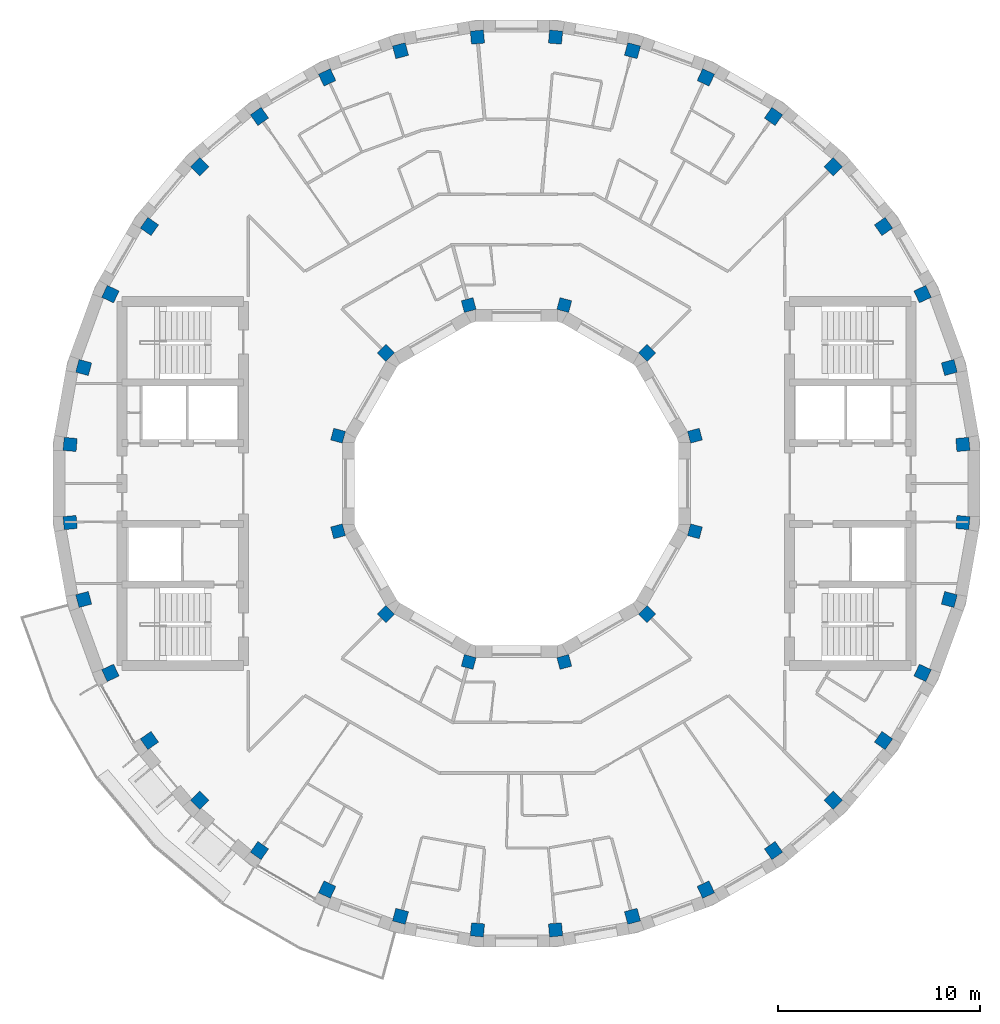
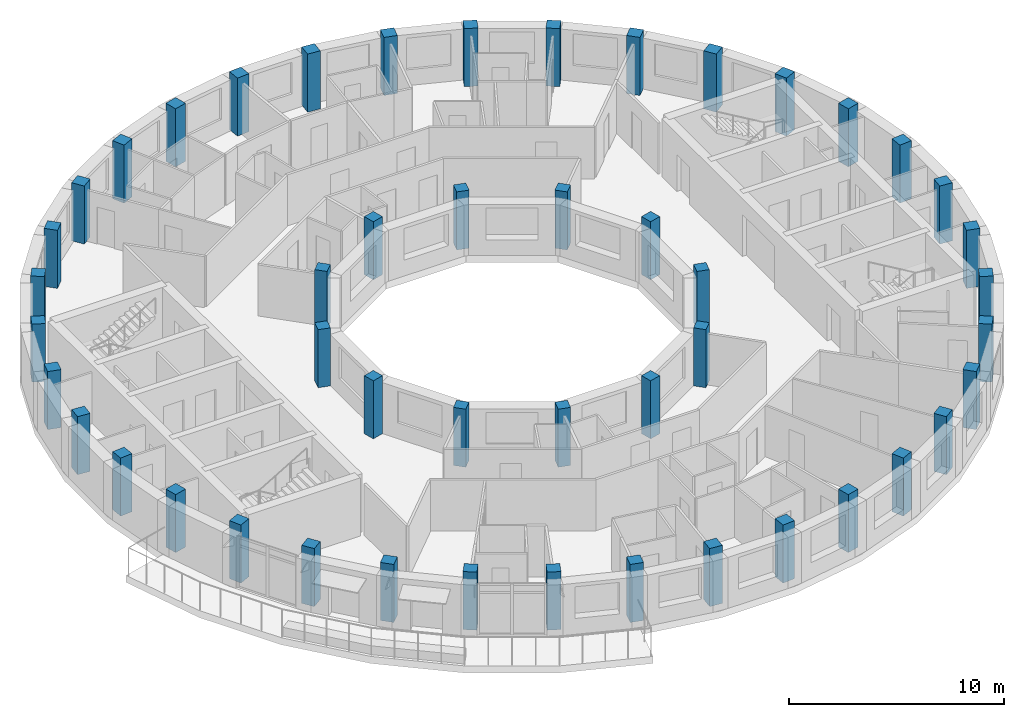
# One storey, part 1 of 12: 48 columns.
"""IFC4 building model written with IfcOpenShell, lengths in metres."""

import ifcopenshell
import ifcopenshell.guid

model = None  # the IFC model being written
_history = None  # IfcOwnerHistory: only IFC2X3 demands one
_inside = {}  # id of a spatial element -> (the spatial element, [elements in it])
_under = {}  # id of a project, library or spatial element -> (it, [spatial elements below it])
_declared = {}  # id of a project -> (the project, [libraries it declares])
_typed = {}  # id of a type object -> (the type object, [elements of that type])
_made_of = {}  # id of a material, layer set ... -> (it, [elements and type objects made of it])


def new_model(schema):
    """Start an empty IFC model of exactly this schema.

    Asked for "IFC4X3", IfcOpenShell would pick the latest addendum, in which some entities
    have other attributes; the version numbers below select the first issue.
    IFC2X3 requires an IfcOwnerHistory on every rooted entity: one is made here for all.
    """
    global model, _history
    if schema == "IFC4X3":
        model = ifcopenshell.file(schema_version=(4, 3, 0, 0))
    else:
        model = ifcopenshell.file(schema=schema)
    _inside.clear()
    _under.clear()
    _declared.clear()
    _typed.clear()
    _made_of.clear()
    _history = None
    if model.schema == "IFC2X3":
        org = make("IfcOrganization", Name="unknown")
        user = make(
            "IfcPersonAndOrganization",
            ThePerson=make("IfcPerson", FamilyName="unknown"),
            TheOrganization=org,
        )
        app = make(
            "IfcApplication",
            ApplicationDeveloper=org,
            Version="unknown",
            ApplicationFullName="unknown",
            ApplicationIdentifier="unknown",
        )
        _history = make(
            "IfcOwnerHistory",
            OwningUser=user,
            OwningApplication=app,
            ChangeAction="ADDED",
            CreationDate=0,
        )
    return model


def make(cls, **values):
    """One entity of the class cls with the attributes given. An attribute that is None is left unset."""
    return model.create_entity(
        cls, **{name: value for name, value in values.items() if value is not None}
    )


def rooted(cls, **values):
    """An entity with a GlobalId (a new one), such as an element, a storey or a relation."""
    return make(cls, GlobalId=ifcopenshell.guid.new(), OwnerHistory=_history, **values)


def si_unit(unit_type, name, prefix=None):
    """IfcSIUnit, for example si_unit("LENGTHUNIT", "METRE", prefix="MILLI")."""
    return make("IfcSIUnit", UnitType=unit_type, Prefix=prefix, Name=name)


def assignment(units):
    """IfcUnitAssignment: the units of a project."""
    return None if units is None else make("IfcUnitAssignment", Units=units)


def point(xyz):
    """IfcCartesianPoint."""
    return None if xyz is None else make("IfcCartesianPoint", Coordinates=xyz)


def direction(xyz):
    """IfcDirection."""
    return None if xyz is None else make("IfcDirection", DirectionRatios=xyz)


def frame(location, z_axis=None, x_axis=None):
    """IfcAxis2Placement3D, a coordinate frame: its origin and axes. An axis left out is left unset."""
    return make(
        "IfcAxis2Placement3D",
        Location=point(location),
        Axis=direction(z_axis),
        RefDirection=direction(x_axis),
    )


def frame_2d(location, x_axis=None):
    """IfcAxis2Placement2D, a coordinate frame in the plane: its origin and x axis."""
    return make(
        "IfcAxis2Placement2D", Location=point(location), RefDirection=direction(x_axis)
    )


def origin():
    """The frame at (0, 0, 0) with its axes left unset."""
    return frame((0.0, 0.0, 0.0))


def origin_2d():
    """The frame at (0, 0) in the plane with its x axis left unset."""
    return frame_2d((0.0, 0.0))


def place(relative_to, where):
    """IfcLocalPlacement: puts the frame where relative to a parent placement (None: the world)."""
    return make(
        "IfcLocalPlacement", PlacementRelTo=relative_to, RelativePlacement=where
    )


def context(
    kind, dimensions, precision=None, world=None, true_north=None, identifier=None
):
    """IfcGeometricRepresentationContext, for example the 3D "Model" context."""
    return make(
        "IfcGeometricRepresentationContext",
        ContextIdentifier=identifier,
        ContextType=kind,
        CoordinateSpaceDimension=dimensions,
        Precision=precision,
        WorldCoordinateSystem=world,
        TrueNorth=true_north,
    )


def subcontext(parent, identifier, kind, view, scale=None):
    """IfcGeometricRepresentationSubContext, for example "Body" below "Model"."""
    return make(
        "IfcGeometricRepresentationSubContext",
        ContextIdentifier=identifier,
        ContextType=kind,
        ParentContext=parent,
        TargetScale=scale,
        TargetView=view,
    )


def project(units=None, contexts=None):
    """IfcProject with its units and contexts."""
    return rooted(
        "IfcProject",
        Name="project",
        RepresentationContexts=contexts,
        UnitsInContext=assignment(units),
    )


def spatial(cls, under=None, at=None, **own):
    """A site, building, storey or space (cls), placed at a placement, below another one or the project."""
    s = rooted(cls, ObjectPlacement=at, **own)
    if under is not None:
        _under.setdefault(under.id(), (under, []))[1].append(s)
    return s


def profile(cls, at=None, kind="AREA", **sizes):
    """A parametric profile (cls). Its sizes go by their IFC names, for example OverallWidth=200.0."""
    return make(cls, ProfileType=kind, Position=at, **sizes)


def rectangle(**sizes):
    """IfcRectangleProfileDef."""
    return profile("IfcRectangleProfileDef", **sizes)


def extrude(swept, where, along, depth):
    """IfcExtrudedAreaSolid: the profile swept, set in the frame where, extruded along a direction by depth."""
    return make(
        "IfcExtrudedAreaSolid",
        SweptArea=swept,
        Position=where,
        ExtrudedDirection=direction(along),
        Depth=depth,
    )


def shape(context_of_items, identifier, shape_type, items):
    """IfcShapeRepresentation: the items that make up one representation, for example the "Body"."""
    return make(
        "IfcShapeRepresentation",
        ContextOfItems=context_of_items,
        RepresentationIdentifier=identifier,
        RepresentationType=shape_type,
        Items=items,
    )


def material(Name=None, Category=None):
    """IfcMaterial."""
    return make("IfcMaterial", Name=Name, Category=Category)


def material_profile(
    of_material, cross_section, Name=None, Category=None, Priority=None
):
    """IfcMaterialProfile: a cross section and its material."""
    return make(
        "IfcMaterialProfile",
        Name=Name,
        Material=of_material,
        Profile=cross_section,
        Priority=Priority,
        Category=Category,
    )


def profile_set(profiles, Name=None, composite=None):
    """IfcMaterialProfileSet."""
    return make(
        "IfcMaterialProfileSet",
        Name=Name,
        MaterialProfiles=profiles,
        CompositeProfile=composite,
    )


def made_of(thing, what):
    """Note that an element or type object is made of a material, layer set ...; save() writes the relation."""
    if what is not None:
        _made_of.setdefault(what.id(), (what, []))[1].append(thing)
    return thing


def type_object(cls, material=None, **own):
    """A type object (cls), such as IfcWallType, which elements share."""
    return made_of(rooted(cls, **own), material)


def element(
    cls,
    number,
    at=None,
    inside=None,
    cuts=None,
    type_object=None,
    material=None,
    context=None,
    identifier="Body",
    shape_type=None,
    held_by="IfcProductDefinitionShape",
    body=None,
    shapes=None,
    **own,
):
    """One element of the class cls, such as IfcWall. Its Tag is "e" and its number.

    at: its placement. inside: the storey or other place that contains it. cuts: it is an
    opening in that element (IfcRelVoidsElement). A single representation is given by context,
    identifier, shape_type and body (its items); several are given by shapes. held_by: the class
    of the entity that holds the representations. save() writes the other relations.
    """
    e = rooted(cls, Tag="e%d" % number, ObjectPlacement=at, **own)
    if body is not None:
        shapes = [shape(context, identifier, shape_type, body)]
    if shapes is not None:
        e.Representation = make(held_by, Representations=shapes)
    if inside is not None:
        _inside.setdefault(inside.id(), (inside, []))[1].append(e)
    if cuts is not None:
        rooted(
            "IfcRelVoidsElement", RelatingBuildingElement=cuts, RelatedOpeningElement=e
        )
    if type_object is not None:
        _typed.setdefault(type_object.id(), (type_object, []))[1].append(e)
    return made_of(e, material)


def aggregate(whole, parts):
    """IfcRelAggregates: a whole, such as a stair, and the parts it consists of."""
    return rooted("IfcRelAggregates", RelatingObject=whole, RelatedObjects=parts)


def save(model, path):
    """Write the relations noted so far, then the file.

    IfcRelAggregates (storeys below a building ...), IfcRelContainedInSpatialStructure (elements
    in a storey), IfcRelDefinesByType, IfcRelAssociatesMaterial and IfcRelDeclares: one each for
    every whole, place, type object, material and project.
    """
    for whole, parts in _under.values():
        aggregate(whole, parts)
    for where, things in _inside.values():
        rooted(
            "IfcRelContainedInSpatialStructure",
            RelatedElements=things,
            RelatingStructure=where,
        )
    for kind, things in _typed.values():
        rooted("IfcRelDefinesByType", RelatedObjects=things, RelatingType=kind)
    for what, things in _made_of.values():
        rooted("IfcRelAssociatesMaterial", RelatedObjects=things, RelatingMaterial=what)
    for by, libraries in _declared.values():
        rooted("IfcRelDeclares", RelatingContext=by, RelatedDefinitions=libraries)
    model.write(path)


model = new_model("IFC4")

# Units and contexts
model_context = context("Model", 3, precision=1e-05, world=origin(), true_north=direction((0.0, 1.0)))
body_context = subcontext(model_context, "Body", "Model", "MODEL_VIEW")
ifc_project = project(units=[si_unit("LENGTHUNIT", "METRE"), si_unit("AREAUNIT", "SQUARE_METRE"), si_unit("VOLUMEUNIT", "CUBIC_METRE"), si_unit("PLANEANGLEUNIT", "RADIAN"), si_unit("MASSUNIT", "GRAM", prefix="KILO")], contexts=[model_context])

# Site, building, storey
site_placement = place(None, origin())
site = spatial("IfcSite", under=ifc_project, at=site_placement, CompositionType="ELEMENT")
building_placement = place(site_placement, origin())
building = spatial("IfcBuilding", under=site, at=building_placement, Name="Saqina Gate Tower", CompositionType="ELEMENT")
storey_placement = place(building_placement, frame((0.0, 0.0, 259.39990234375)))
storey = spatial("IfcBuildingStorey", under=building, at=storey_placement, Name="L74", CompositionType="ELEMENT", Elevation=259.39990234375)

# Columns
ifc_material_1 = material(Name="Concrete C60/75", Category="concrete")
ifc_material_profile_1 = material_profile(ifc_material_1, rectangle(XDim=0.60009765625, YDim=0.60009765625, at=origin_2d()), Name="RC 600x600")
ifc_profile_set_1 = profile_set([ifc_material_profile_1], Name="Concrete C60/75")
column_type_1 = type_object("IfcColumnType", Name="STR-COL-IN-D", PredefinedType="COLUMN", material=ifc_profile_set_1)
for number, where, z_axis, x_axis, name in (
    (1, (8.821044921875, 2.363525390625, 0.0), (0.0, 0.0, 1.0), (0.965925826289, 0.258819045103, 0.0), "L74-ICL01"),
    (2, (6.45751953125, 6.45751953125, 0.0), (0.0, 0.0, 1.0), (0.707106781187, 0.707106781187, 0.0), "L74-ICL02"),
    (3, (2.363525390625, 8.821044921875, 0.0), (0.0, 0.0, 1.0), (0.258819045103, 0.965925826289, 0.0), "L74-ICL03"),
    (4, (-2.363525390625, 8.821044921875, 0.0), (0.0, 0.0, 1.0), (-0.258819045103, 0.965925826289, 0.0), "L74-ICL04"),
    (5, (-6.45751953125, 6.45751953125, 0.0), (0.0, 0.0, 1.0), (-0.707106781187, 0.707106781187, 0.0), "L74-ICL05"),
    (6, (-8.821044921875, 2.363525390625, 0.0), (0.0, 0.0, 1.0), (-0.965925826289, 0.258819045103, 0.0), "L74-ICL06"),
    (7, (-8.821044921875, -2.363525390625, 0.0), (0.0, 0.0, 1.0), (-0.965925826289, -0.258819045103, 0.0), "L74-ICL07"),
    (8, (-6.45751953125, -6.45751953125, 0.0), (0.0, 0.0, 1.0), (-0.707106781187, -0.707106781187, 0.0), "L74-ICL08"),
    (9, (-2.363525390625, -8.821044921875, 0.0), (0.0, 0.0, 1.0), (-0.258819045103, -0.965925826289, 0.0), "L74-ICL09"),
    (10, (2.363525390625, -8.821044921875, 0.0), (0.0, 0.0, 1.0), (0.258819045103, -0.965925826289, 0.0), "L74-ICL10"),
    (11, (6.45751953125, -6.45751953125, 0.0), (0.0, 0.0, 1.0), (0.707106781187, -0.707106781187, 0.0), "L74-ICL11"),
    (12, (8.821044921875, -2.363525390625, 0.0), (0.0, 0.0, 1.0), (0.965925826289, -0.258819045103, 0.0), "L74-ICL12"),
):
    element("IfcColumn", number, at=place(storey_placement, frame(where, z_axis=z_axis, x_axis=x_axis)), inside=storey, type_object=column_type_1, Name=name, PredefinedType="COLUMN", context=body_context, shape_type="SweptSolid", body=[
        extrude(rectangle(XDim=0.60009765625, YDim=0.60009765625, at=origin_2d()), origin(), (0.0, 0.0, 1.0), 3.300048828125),
    ])
ifc_material_2 = material(Name="Concrete C60/75", Category="concrete")
ifc_material_profile_2 = material_profile(ifc_material_2, rectangle(XDim=0.64990234375, YDim=0.64990234375, at=origin_2d()), Name="RC 650x650")
ifc_profile_set_2 = profile_set([ifc_material_profile_2], Name="Concrete C60/75")
column_type_2 = type_object("IfcColumnType", Name="STR-COL-OUT-D", PredefinedType="COLUMN", material=ifc_profile_set_2)
for number, where, z_axis, x_axis, name in (
    (13, (22.065673828125, 1.930419921875, 0.0), (0.0, 0.0, 1.0), (0.996194698092, 0.087155742748, 0.0), "L74-COL01"),
    (14, (21.395263671875, 5.73291015625, 0.0), (0.0, 0.0, 1.0), (0.965925826289, 0.258819045103, 0.0), "L74-COL02"),
    (15, (20.07470703125, 9.361083984375, 0.0), (0.0, 0.0, 1.0), (0.906307787037, 0.422618261741, 0.0), "L74-COL03"),
    (16, (18.144287109375, 12.704833984375, 0.0), (0.0, 0.0, 1.0), (0.819152044289, 0.573576436351, 0.0), "L74-COL04"),
    (17, (15.662353515625, 15.662353515625, 0.0), (0.0, 0.0, 1.0), (0.707106781187, 0.707106781187, 0.0), "L74-COL05"),
    (18, (12.704833984375, 18.144287109375, 0.0), (0.0, 0.0, 1.0), (0.573576436351, 0.819152044289, 0.0), "L74-COL06"),
    (19, (9.361083984375, 20.07470703125, 0.0), (0.0, 0.0, 1.0), (0.422618261741, 0.906307787037, 0.0), "L74-COL07"),
    (20, (5.73291015625, 21.395263671875, 0.0), (0.0, 0.0, 1.0), (0.258819045103, 0.965925826289, 0.0), "L74-COL08"),
    (21, (1.930419921875, 22.065673828125, 0.0), (0.0, 0.0, 1.0), (0.087155742748, 0.996194698092, 0.0), "L74-COL09"),
    (22, (-1.930419921875, 22.065673828125, 0.0), (0.0, 0.0, 1.0), (-0.087155742748, 0.996194698092, 0.0), "L74-COL10"),
    (23, (-5.73291015625, 21.395263671875, 0.0), (0.0, 0.0, 1.0), (-0.258819045103, 0.965925826289, 0.0), "L74-COL11"),
    (24, (-9.361083984375, 20.07470703125, 0.0), (0.0, 0.0, 1.0), (-0.422618261741, 0.906307787037, 0.0), "L74-COL12"),
    (25, (-12.704833984375, 18.144287109375, 0.0), (0.0, 0.0, 1.0), (-0.573576436351, 0.819152044289, 0.0), "L74-COL13"),
    (26, (-15.662353515625, 15.662353515625, 0.0), (0.0, 0.0, 1.0), (-0.707106781187, 0.707106781187, 0.0), "L74-COL14"),
    (27, (-18.144287109375, 12.704833984375, 0.0), (0.0, 0.0, 1.0), (-0.819152044289, 0.573576436351, 0.0), "L74-COL15"),
    (28, (-20.07470703125, 9.361083984375, 0.0), (0.0, 0.0, 1.0), (-0.906307787037, 0.422618261741, 0.0), "L74-COL16"),
    (29, (-21.395263671875, 5.73291015625, 0.0), (0.0, 0.0, 1.0), (-0.965925826289, 0.258819045103, 0.0), "L74-COL17"),
    (30, (-22.065673828125, 1.930419921875, 0.0), (0.0, 0.0, 1.0), (-0.996194698092, 0.087155742748, 0.0), "L74-COL18"),
    (31, (-22.065673828125, -1.930419921875, 0.0), (0.0, 0.0, 1.0), (-0.996194698092, -0.087155742748, 0.0), "L74-COL19"),
    (32, (-21.395263671875, -5.73291015625, 0.0), (0.0, 0.0, 1.0), (-0.965925826289, -0.258819045103, 0.0), "L74-COL20"),
    (33, (-20.07470703125, -9.361083984375, 0.0), (0.0, 0.0, 1.0), (-0.906307787037, -0.422618261741, 0.0), "L74-COL21"),
    (34, (-18.144287109375, -12.704833984375, 0.0), (0.0, 0.0, 1.0), (-0.819152044289, -0.573576436351, 0.0), "L74-COL22"),
    (35, (-15.662353515625, -15.662353515625, 0.0), (0.0, 0.0, 1.0), (-0.707106781187, -0.707106781187, 0.0), "L74-COL23"),
    (36, (-12.704833984375, -18.144287109375, 0.0), (0.0, 0.0, 1.0), (-0.573576436351, -0.819152044289, 0.0), "L74-COL24"),
    (37, (-9.361083984375, -20.07470703125, 0.0), (0.0, 0.0, 1.0), (-0.422618261741, -0.906307787037, 0.0), "L74-COL25"),
    (38, (-5.73291015625, -21.395263671875, 0.0), (0.0, 0.0, 1.0), (-0.258819045103, -0.965925826289, 0.0), "L74-COL26"),
    (39, (-1.930419921875, -22.065673828125, 0.0), (0.0, 0.0, 1.0), (-0.087155742748, -0.996194698092, 0.0), "L74-COL27"),
    (40, (1.930419921875, -22.065673828125, 0.0), (0.0, 0.0, 1.0), (0.087155742748, -0.996194698092, 0.0), "L74-COL28"),
    (41, (5.73291015625, -21.395263671875, 0.0), (0.0, 0.0, 1.0), (0.258819045103, -0.965925826289, 0.0), "L74-COL29"),
    (42, (9.361083984375, -20.07470703125, 0.0), (0.0, 0.0, 1.0), (0.422618261741, -0.906307787037, 0.0), "L74-COL30"),
    (43, (12.704833984375, -18.144287109375, 0.0), (0.0, 0.0, 1.0), (0.573576436351, -0.819152044289, 0.0), "L74-COL31"),
    (44, (15.662353515625, -15.662353515625, 0.0), (0.0, 0.0, 1.0), (0.707106781187, -0.707106781187, 0.0), "L74-COL32"),
    (45, (18.144287109375, -12.704833984375, 0.0), (0.0, 0.0, 1.0), (0.819152044289, -0.573576436351, 0.0), "L74-COL33"),
    (46, (20.07470703125, -9.361083984375, 0.0), (0.0, 0.0, 1.0), (0.906307787037, -0.422618261741, 0.0), "L74-COL34"),
    (47, (21.395263671875, -5.73291015625, 0.0), (0.0, 0.0, 1.0), (0.965925826289, -0.258819045103, 0.0), "L74-COL35"),
    (48, (22.065673828125, -1.930419921875, 0.0), (0.0, 0.0, 1.0), (0.996194698092, -0.087155742748, 0.0), "L74-COL36"),
):
    element("IfcColumn", number, at=place(storey_placement, frame(where, z_axis=z_axis, x_axis=x_axis)), inside=storey, type_object=column_type_2, Name=name, PredefinedType="COLUMN", context=body_context, shape_type="SweptSolid", body=[
        extrude(rectangle(XDim=0.64990234375, YDim=0.64990234375, at=origin_2d()), origin(), (0.0, 0.0, 1.0), 3.300048828125),
    ])

save(model, "model.ifc")
